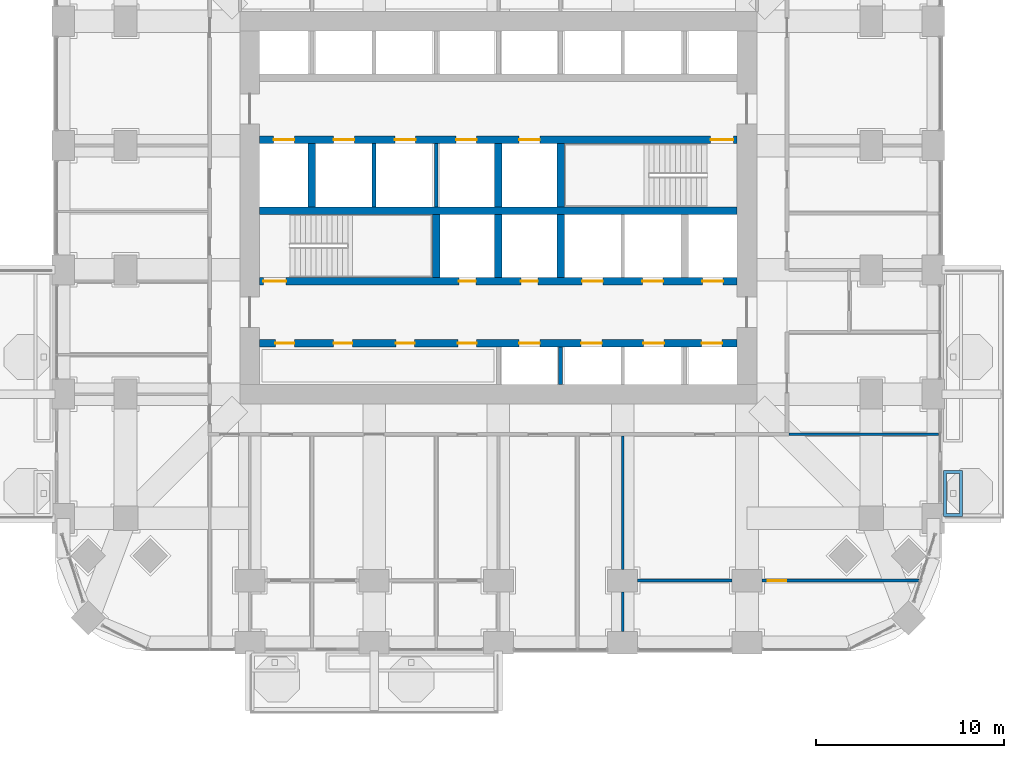
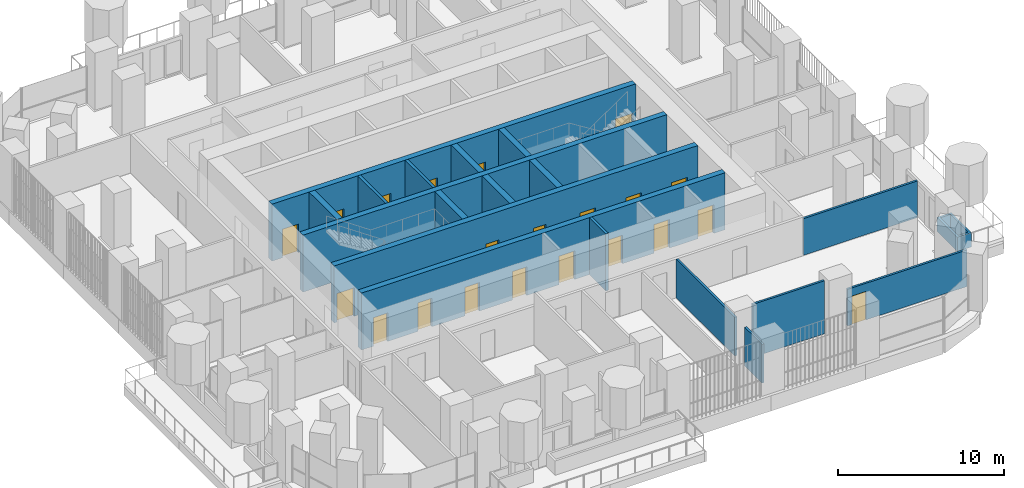
# One storey, part 14 of 21: 21 doors, 19 walls, 21 openings.
"""IFC4 building model written with IfcOpenShell, lengths in metres."""

from ifc_helpers import new_model, si_unit, direction, frame, frame_2d, origin, place, context, subcontext, project, spatial, polyline, rectangle, outline, extrude, material, layer, layer_set, type_object, element, fill, save


model = new_model("IFC4")

# Units and contexts
model_context = context("Model", 3, precision=1e-05, world=origin(), true_north=direction((0.0, 1.0)))
body_context = subcontext(model_context, "Body", "Model", "MODEL_VIEW")
ifc_project = project(units=[si_unit("LENGTHUNIT", "METRE"), si_unit("AREAUNIT", "SQUARE_METRE"), si_unit("VOLUMEUNIT", "CUBIC_METRE"), si_unit("PLANEANGLEUNIT", "RADIAN"), si_unit("MASSUNIT", "GRAM", prefix="KILO")], contexts=[model_context])

# Site, building, storey
site_placement = place(None, origin())
site = spatial("IfcSite", under=ifc_project, at=site_placement, CompositionType="ELEMENT")
building_placement = place(site_placement, origin())
building = spatial("IfcBuilding", under=site, at=building_placement, Name="Cobogo Forest Laboratory Tower", CompositionType="ELEMENT")
storey_placement = place(building_placement, frame((0.0, 0.0, 99.0)))
storey = spatial("IfcBuildingStorey", under=building, at=storey_placement, Name="L22", CompositionType="ELEMENT", Elevation=99.0)

# Wall, openings, doors
ifc_material_1 = material(Name="Concrete HA-50 (C50/60)", Category="concrete")
ifc_layer_1 = layer(ifc_material_1, 0.39990234375)
ifc_layer_set_1 = layer_set([ifc_layer_1], Name="CI400 core inner wall 400")
wall_type_1 = type_object("IfcWallType", Name="CI400 core inner wall 400", PredefinedType="SHEAR", material=ifc_layer_set_1)
wall_1_placement = place(storey_placement, frame((13.72509765625, 15.89990234375, 0.0), z_axis=(0.0, 0.0, 1.0), x_axis=(1.0, 0.0, 0.0)))
wall_1 = element("IfcWall", 1, at=wall_1_placement, inside=storey, type_object=wall_type_1, Name="Core wall CI-15.9 L22", PredefinedType="SHEAR", context=body_context, shape_type="SweptSolid", body=[
    extrude(rectangle(XDim=25.349853515625, YDim=0.39990234375, at=frame_2d((12.6748046875, 0.0))), origin(), (0.0, 0.0, 1.0), 4.199951171875),
])
opening_1_placement = place(wall_1_placement, frame((0.83740234375, 0.0, 0.0)))
opening_1 = element("IfcOpeningElement", 2, at=opening_1_placement, cuts=wall_1, Name="Opening L22-D18", PredefinedType="OPENING", context=body_context, shape_type="SweptSolid", body=[
    extrude(rectangle(XDim=1.0, YDim=2.10009765625, at=frame_2d((0.5, 1.050048828125))), frame((0.0, 0.2099609375, 0.0), z_axis=(0.0, -1.0, 0.0), x_axis=(1.0, 0.0, 0.0)), (0.0, 0.0, 1.0), 0.419921875),
])
opening_2_placement = place(wall_1_placement, frame((3.925048828125, 0.0, 0.0)))
opening_2 = element("IfcOpeningElement", 3, at=opening_2_placement, cuts=wall_1, Name="Opening L22-D19", PredefinedType="OPENING", context=body_context, shape_type="SweptSolid", body=[
    extrude(rectangle(XDim=1.0, YDim=2.10009765625, at=frame_2d((0.5, 1.050048828125))), frame((0.0, 0.2099609375, 0.0), z_axis=(0.0, -1.0, 0.0), x_axis=(1.0, 0.0, 0.0)), (0.0, 0.0, 1.0), 0.419921875),
])
opening_3_placement = place(wall_1_placement, frame((7.22509765625, 0.0, 0.0)))
opening_3 = element("IfcOpeningElement", 4, at=opening_3_placement, cuts=wall_1, Name="Opening L22-D20", PredefinedType="OPENING", context=body_context, shape_type="SweptSolid", body=[
    extrude(rectangle(XDim=1.0, YDim=2.10009765625, at=frame_2d((0.5, 1.050048828125))), frame((0.0, 0.2099609375, 0.0), z_axis=(0.0, -1.0, 0.0), x_axis=(1.0, 0.0, 0.0)), (0.0, 0.0, 1.0), 0.419921875),
])
opening_4_placement = place(wall_1_placement, frame((10.52490234375, 0.0, 0.0)))
opening_4 = element("IfcOpeningElement", 5, at=opening_4_placement, cuts=wall_1, Name="Opening L22-D21", PredefinedType="OPENING", context=body_context, shape_type="SweptSolid", body=[
    extrude(rectangle(XDim=1.0, YDim=2.10009765625, at=frame_2d((0.5, 1.050048828125))), frame((0.0, 0.2099609375, 0.0), z_axis=(0.0, -1.0, 0.0), x_axis=(1.0, 0.0, 0.0)), (0.0, 0.0, 1.0), 0.419921875),
])
opening_5_placement = place(wall_1_placement, frame((13.77490234375, 0.0, 0.0)))
opening_5 = element("IfcOpeningElement", 6, at=opening_5_placement, cuts=wall_1, Name="Opening L22-LD-LB1", PredefinedType="OPENING", context=body_context, shape_type="SweptSolid", body=[
    extrude(rectangle(XDim=1.10009765625, YDim=2.10009765625, at=frame_2d((0.550048828125, 1.050048828125))), frame((0.0, 0.2099609375, 0.0), z_axis=(0.0, -1.0, 0.0), x_axis=(1.0, 0.0, 0.0)), (0.0, 0.0, 1.0), 0.419921875),
])
opening_6_placement = place(wall_1_placement, frame((17.074951171875, 0.0, 0.0)))
opening_6 = element("IfcOpeningElement", 7, at=opening_6_placement, cuts=wall_1, Name="Opening L22-LD-LB2", PredefinedType="OPENING", context=body_context, shape_type="SweptSolid", body=[
    extrude(rectangle(XDim=1.10009765625, YDim=2.10009765625, at=frame_2d((0.550048828125, 1.050048828125))), frame((0.0, 0.2099609375, 0.0), z_axis=(0.0, -1.0, 0.0), x_axis=(1.0, 0.0, 0.0)), (0.0, 0.0, 1.0), 0.419921875),
])
opening_7_placement = place(wall_1_placement, frame((20.375, 0.0, 0.0)))
opening_7 = element("IfcOpeningElement", 8, at=opening_7_placement, cuts=wall_1, Name="Opening L22-LD-LB3", PredefinedType="OPENING", context=body_context, shape_type="SweptSolid", body=[
    extrude(rectangle(XDim=1.10009765625, YDim=2.10009765625, at=frame_2d((0.550048828125, 1.050048828125))), frame((0.0, 0.2099609375, 0.0), z_axis=(0.0, -1.0, 0.0), x_axis=(1.0, 0.0, 0.0)), (0.0, 0.0, 1.0), 0.419921875),
])
opening_8_placement = place(wall_1_placement, frame((23.46240234375, 0.0, 0.0)))
opening_8 = element("IfcOpeningElement", 9, at=opening_8_placement, cuts=wall_1, Name="Opening L22-LD-LB4", PredefinedType="OPENING", context=body_context, shape_type="SweptSolid", body=[
    extrude(rectangle(XDim=1.10009765625, YDim=2.10009765625, at=frame_2d((0.550048828125, 1.050048828125))), frame((0.0, 0.2099609375, 0.0), z_axis=(0.0, -1.0, 0.0), x_axis=(1.0, 0.0, 0.0)), (0.0, 0.0, 1.0), 0.419921875),
])
ifc_material_2 = material(Name="Steel fire door", Category="steel")
door_type_1 = type_object("IfcDoorType", Name="FD1 fire door 1000 EI2 60", OperationType="SINGLE_SWING_LEFT", PredefinedType="DOOR", material=ifc_material_2)
door_1_placement = place(opening_1_placement, origin())
door_1 = element("IfcDoor", 10, at=door_1_placement, inside=storey, type_object=door_type_1, Name="Door L22-SH-LA1", OperationType="SINGLE_SWING_LEFT", OverallHeight=2.10009765625, OverallWidth=1.0, PredefinedType="DOOR", context=body_context, shape_type="SweptSolid", body=[
    extrude(rectangle(XDim=1.0, YDim=2.10009765625, at=frame_2d((0.5, 1.050048828125))), frame((0.0, 0.02490234375, 0.0), z_axis=(0.0, -1.0, 0.0), x_axis=(1.0, 0.0, 0.0)), (0.0, 0.0, 1.0), 0.050048828125),
])
fill(opening_1, door_1)
door_2_placement = place(opening_2_placement, origin())
door_2 = element("IfcDoor", 11, at=door_2_placement, inside=storey, type_object=door_type_1, Name="Door L22-SH-LA2", OperationType="SINGLE_SWING_LEFT", OverallHeight=2.10009765625, OverallWidth=1.0, PredefinedType="DOOR", context=body_context, shape_type="SweptSolid", body=[
    extrude(rectangle(XDim=1.0, YDim=2.10009765625, at=frame_2d((0.5, 1.050048828125))), frame((0.0, 0.02490234375, 0.0), z_axis=(0.0, -1.0, 0.0), x_axis=(1.0, 0.0, 0.0)), (0.0, 0.0, 1.0), 0.050048828125),
])
fill(opening_2, door_2)
door_3_placement = place(opening_3_placement, origin())
door_3 = element("IfcDoor", 12, at=door_3_placement, inside=storey, type_object=door_type_1, Name="Door L22-SH-LA3", OperationType="SINGLE_SWING_LEFT", OverallHeight=2.10009765625, OverallWidth=1.0, PredefinedType="DOOR", context=body_context, shape_type="SweptSolid", body=[
    extrude(rectangle(XDim=1.0, YDim=2.10009765625, at=frame_2d((0.5, 1.050048828125))), frame((0.0, 0.02490234375, 0.0), z_axis=(0.0, -1.0, 0.0), x_axis=(1.0, 0.0, 0.0)), (0.0, 0.0, 1.0), 0.050048828125),
])
fill(opening_3, door_3)
door_4_placement = place(opening_4_placement, origin())
door_4 = element("IfcDoor", 13, at=door_4_placement, inside=storey, type_object=door_type_1, Name="Door L22-SH-LA4", OperationType="SINGLE_SWING_LEFT", OverallHeight=2.10009765625, OverallWidth=1.0, PredefinedType="DOOR", context=body_context, shape_type="SweptSolid", body=[
    extrude(rectangle(XDim=1.0, YDim=2.10009765625, at=frame_2d((0.5, 1.050048828125))), frame((0.0, 0.02490234375, 0.0), z_axis=(0.0, -1.0, 0.0), x_axis=(1.0, 0.0, 0.0)), (0.0, 0.0, 1.0), 0.050048828125),
])
fill(opening_4, door_4)
ifc_material_3 = material(Name="Stainless steel lift door", Category="steel")
door_type_2 = type_object("IfcDoorType", Name="LD lift landing door 1100", OperationType="DOUBLE_DOOR_SLIDING", PredefinedType="DOOR", material=ifc_material_3)
door_5_placement = place(opening_5_placement, origin())
door_5 = element("IfcDoor", 14, at=door_5_placement, inside=storey, type_object=door_type_2, Name="Lift landing door LB1 L22", OperationType="DOUBLE_DOOR_SLIDING", OverallHeight=2.10009765625, OverallWidth=1.10009765625, PredefinedType="DOOR", context=body_context, shape_type="SweptSolid", body=[
    extrude(rectangle(XDim=1.10009765625, YDim=2.10009765625, at=frame_2d((0.550048828125, 1.050048828125))), frame((0.0, 0.02490234375, 0.0), z_axis=(0.0, -1.0, 0.0), x_axis=(1.0, 0.0, 0.0)), (0.0, 0.0, 1.0), 0.050048828125),
])
fill(opening_5, door_5)
door_6_placement = place(opening_6_placement, origin())
door_6 = element("IfcDoor", 15, at=door_6_placement, inside=storey, type_object=door_type_2, Name="Lift landing door LB2 L22", OperationType="DOUBLE_DOOR_SLIDING", OverallHeight=2.10009765625, OverallWidth=1.10009765625, PredefinedType="DOOR", context=body_context, shape_type="SweptSolid", body=[
    extrude(rectangle(XDim=1.10009765625, YDim=2.10009765625, at=frame_2d((0.550048828125, 1.050048828125))), frame((0.0, 0.02490234375, 0.0), z_axis=(0.0, -1.0, 0.0), x_axis=(1.0, 0.0, 0.0)), (0.0, 0.0, 1.0), 0.050048828125),
])
fill(opening_6, door_6)
door_7_placement = place(opening_7_placement, origin())
door_7 = element("IfcDoor", 16, at=door_7_placement, inside=storey, type_object=door_type_2, Name="Lift landing door LB3 L22", OperationType="DOUBLE_DOOR_SLIDING", OverallHeight=2.10009765625, OverallWidth=1.10009765625, PredefinedType="DOOR", context=body_context, shape_type="SweptSolid", body=[
    extrude(rectangle(XDim=1.10009765625, YDim=2.10009765625, at=frame_2d((0.550048828125, 1.050048828125))), frame((0.0, 0.02490234375, 0.0), z_axis=(0.0, -1.0, 0.0), x_axis=(1.0, 0.0, 0.0)), (0.0, 0.0, 1.0), 0.050048828125),
])
fill(opening_7, door_7)
door_8_placement = place(opening_8_placement, origin())
door_8 = element("IfcDoor", 17, at=door_8_placement, inside=storey, type_object=door_type_2, Name="Lift landing door LB4 L22", OperationType="DOUBLE_DOOR_SLIDING", OverallHeight=2.10009765625, OverallWidth=1.10009765625, PredefinedType="DOOR", context=body_context, shape_type="SweptSolid", body=[
    extrude(rectangle(XDim=1.10009765625, YDim=2.10009765625, at=frame_2d((0.550048828125, 1.050048828125))), frame((0.0, 0.02490234375, 0.0), z_axis=(0.0, -1.0, 0.0), x_axis=(1.0, 0.0, 0.0)), (0.0, 0.0, 1.0), 0.050048828125),
])
fill(opening_8, door_8)

wall_2_placement = place(storey_placement, frame((13.72509765625, 19.199951171875, 0.0), z_axis=(0.0, 0.0, 1.0), x_axis=(1.0, 0.0, 0.0)))
wall_2 = element("IfcWall", 18, at=wall_2_placement, inside=storey, type_object=wall_type_1, Name="Core wall CI-19.2 L22", PredefinedType="SHEAR", context=body_context, shape_type="SweptSolid", body=[
    extrude(rectangle(XDim=25.349853515625, YDim=0.39990234375, at=frame_2d((12.6748046875, 0.0))), origin(), (0.0, 0.0, 1.0), 4.199951171875),
])
opening_9_placement = place(wall_2_placement, frame((10.574951171875, 0.0, 0.0)))
opening_9 = element("IfcOpeningElement", 19, at=opening_9_placement, cuts=wall_2, Name="Opening L22-D27", PredefinedType="OPENING", context=body_context, shape_type="SweptSolid", body=[
    extrude(rectangle(XDim=0.89990234375, YDim=2.10009765625, at=frame_2d((0.449951171875, 1.050048828125))), frame((0.0, 0.2099609375, 0.0), z_axis=(0.0, -1.0, 0.0), x_axis=(1.0, 0.0, 0.0)), (0.0, 0.0, 1.0), 0.419921875),
])
opening_10_placement = place(wall_2_placement, frame((13.875, 0.0, 0.0)))
opening_10 = element("IfcOpeningElement", 20, at=opening_10_placement, cuts=wall_2, Name="Opening L22-D28", PredefinedType="OPENING", context=body_context, shape_type="SweptSolid", body=[
    extrude(rectangle(XDim=0.89990234375, YDim=2.10009765625, at=frame_2d((0.449951171875, 1.050048828125))), frame((0.0, 0.2099609375, 0.0), z_axis=(0.0, -1.0, 0.0), x_axis=(1.0, 0.0, 0.0)), (0.0, 0.0, 1.0), 0.419921875),
])
opening_11_placement = place(wall_2_placement, frame((0.199951171875, 0.0, 0.0)))
opening_11 = element("IfcOpeningElement", 21, at=opening_11_placement, cuts=wall_2, Name="Opening L22-D26", PredefinedType="OPENING", context=body_context, shape_type="SweptSolid", body=[
    extrude(rectangle(XDim=1.199951171875, YDim=2.10009765625, at=frame_2d((0.60009765625, 1.050048828125))), frame((0.0, 0.2099609375, 0.0), z_axis=(0.0, -1.0, 0.0), x_axis=(1.0, 0.0, 0.0)), (0.0, 0.0, 1.0), 0.419921875),
])
opening_12_placement = place(wall_2_placement, frame((23.512451171875, 0.0, 0.0)))
opening_12 = element("IfcOpeningElement", 22, at=opening_12_placement, cuts=wall_2, Name="Opening L22-LD-FL2", PredefinedType="OPENING", context=body_context, shape_type="SweptSolid", body=[
    extrude(rectangle(XDim=1.10009765625, YDim=2.10009765625, at=frame_2d((0.550048828125, 1.050048828125))), frame((0.0, 0.2099609375, 0.0), z_axis=(0.0, -1.0, 0.0), x_axis=(1.0, 0.0, 0.0)), (0.0, 0.0, 1.0), 0.419921875),
])
opening_13_placement = place(wall_2_placement, frame((17.125, 0.0, 0.0)))
opening_13 = element("IfcOpeningElement", 23, at=opening_13_placement, cuts=wall_2, Name="Opening L22-LD-LS1", PredefinedType="OPENING", context=body_context, shape_type="SweptSolid", body=[
    extrude(rectangle(XDim=1.10009765625, YDim=2.10009765625, at=frame_2d((0.550048828125, 1.050048828125))), frame((0.0, 0.2099609375, 0.0), z_axis=(0.0, -1.0, 0.0), x_axis=(1.0, 0.0, 0.0)), (0.0, 0.0, 1.0), 0.419921875),
])
opening_14_placement = place(wall_2_placement, frame((20.324951171875, 0.0, 0.0)))
opening_14 = element("IfcOpeningElement", 24, at=opening_14_placement, cuts=wall_2, Name="Opening L22-LD-LS2", PredefinedType="OPENING", context=body_context, shape_type="SweptSolid", body=[
    extrude(rectangle(XDim=1.10009765625, YDim=2.10009765625, at=frame_2d((0.550048828125, 1.050048828125))), frame((0.0, 0.2099609375, 0.0), z_axis=(0.0, -1.0, 0.0), x_axis=(1.0, 0.0, 0.0)), (0.0, 0.0, 1.0), 0.419921875),
])
door_type_3 = type_object("IfcDoorType", Name="DS1 protected stair door 1200 EI2 60", OperationType="SINGLE_SWING_LEFT", PredefinedType="DOOR", material=ifc_material_2)
door_9_placement = place(opening_11_placement, origin())
door_9 = element("IfcDoor", 25, at=door_9_placement, inside=storey, type_object=door_type_3, Name="Door L22-ST1", OperationType="SINGLE_SWING_LEFT", OverallHeight=2.10009765625, OverallWidth=1.199951171875, PredefinedType="DOOR", context=body_context, shape_type="SweptSolid", body=[
    extrude(rectangle(XDim=1.199951171875, YDim=2.10009765625, at=frame_2d((0.60009765625, 1.050048828125))), frame((0.0, 0.02490234375, 0.0), z_axis=(0.0, -1.0, 0.0), x_axis=(1.0, 0.0, 0.0)), (0.0, 0.0, 1.0), 0.050048828125),
])
fill(opening_11, door_9)
door_type_4 = type_object("IfcDoorType", Name="FD4 riser access door 900 EI2 60", OperationType="SINGLE_SWING_LEFT", PredefinedType="DOOR", material=ifc_material_2)
door_10_placement = place(opening_9_placement, origin())
door_10 = element("IfcDoor", 26, at=door_10_placement, inside=storey, type_object=door_type_4, Name="Door L22-R1", OperationType="SINGLE_SWING_LEFT", OverallHeight=2.10009765625, OverallWidth=0.89990234375, PredefinedType="DOOR", context=body_context, shape_type="SweptSolid", body=[
    extrude(rectangle(XDim=0.89990234375, YDim=2.10009765625, at=frame_2d((0.449951171875, 1.050048828125))), frame((0.0, 0.02490234375, 0.0), z_axis=(0.0, -1.0, 0.0), x_axis=(1.0, 0.0, 0.0)), (0.0, 0.0, 1.0), 0.050048828125),
])
fill(opening_9, door_10)
door_11_placement = place(opening_10_placement, origin())
door_11 = element("IfcDoor", 27, at=door_11_placement, inside=storey, type_object=door_type_4, Name="Door L22-R2", OperationType="SINGLE_SWING_RIGHT", OverallHeight=2.10009765625, OverallWidth=0.89990234375, PredefinedType="DOOR", context=body_context, shape_type="SweptSolid", body=[
    extrude(rectangle(XDim=0.89990234375, YDim=2.10009765625, at=frame_2d((0.449951171875, 1.050048828125))), frame((0.0, 0.02490234375, 0.0), z_axis=(0.0, -1.0, 0.0), x_axis=(1.0, 0.0, 0.0)), (0.0, 0.0, 1.0), 0.050048828125),
])
fill(opening_10, door_11)
door_12_placement = place(opening_12_placement, origin())
door_12 = element("IfcDoor", 28, at=door_12_placement, inside=storey, type_object=door_type_2, Name="Lift landing door FL2 L22", OperationType="DOUBLE_DOOR_SLIDING", OverallHeight=2.10009765625, OverallWidth=1.10009765625, PredefinedType="DOOR", context=body_context, shape_type="SweptSolid", body=[
    extrude(rectangle(XDim=1.10009765625, YDim=2.10009765625, at=frame_2d((0.550048828125, 1.050048828125))), frame((0.0, 0.02490234375, 0.0), z_axis=(0.0, -1.0, 0.0), x_axis=(1.0, 0.0, 0.0)), (0.0, 0.0, 1.0), 0.050048828125),
])
fill(opening_12, door_12)
door_13_placement = place(opening_13_placement, origin())
door_13 = element("IfcDoor", 29, at=door_13_placement, inside=storey, type_object=door_type_2, Name="Lift landing door LS1 L22", OperationType="DOUBLE_DOOR_SLIDING", OverallHeight=2.10009765625, OverallWidth=1.10009765625, PredefinedType="DOOR", context=body_context, shape_type="SweptSolid", body=[
    extrude(rectangle(XDim=1.10009765625, YDim=2.10009765625, at=frame_2d((0.550048828125, 1.050048828125))), frame((0.0, 0.02490234375, 0.0), z_axis=(0.0, -1.0, 0.0), x_axis=(1.0, 0.0, 0.0)), (0.0, 0.0, 1.0), 0.050048828125),
])
fill(opening_13, door_13)
door_14_placement = place(opening_14_placement, origin())
door_14 = element("IfcDoor", 30, at=door_14_placement, inside=storey, type_object=door_type_2, Name="Lift landing door LS2 L22", OperationType="DOUBLE_DOOR_SLIDING", OverallHeight=2.10009765625, OverallWidth=1.10009765625, PredefinedType="DOOR", context=body_context, shape_type="SweptSolid", body=[
    extrude(rectangle(XDim=1.10009765625, YDim=2.10009765625, at=frame_2d((0.550048828125, 1.050048828125))), frame((0.0, 0.02490234375, 0.0), z_axis=(0.0, -1.0, 0.0), x_axis=(1.0, 0.0, 0.0)), (0.0, 0.0, 1.0), 0.050048828125),
])
fill(opening_14, door_14)

# Wall
wall_3_placement = place(storey_placement, frame((13.72509765625, 22.949951171875, 0.0), z_axis=(0.0, 0.0, 1.0), x_axis=(1.0, 0.0, 0.0)))
element("IfcWall", 31, at=wall_3_placement, inside=storey, type_object=wall_type_1, Name="Core wall CI-22.95 L22", PredefinedType="SHEAR", context=body_context, shape_type="SweptSolid", body=[
    extrude(rectangle(XDim=25.349853515625, YDim=0.39990234375, at=frame_2d((12.6748046875, 0.0))), origin(), (0.0, 0.0, 1.0), 4.199951171875),
])

# Wall, openings, doors
wall_4_placement = place(storey_placement, frame((13.72509765625, 26.699951171875, 0.0), z_axis=(0.0, 0.0, 1.0), x_axis=(1.0, 0.0, 0.0)))
wall_4 = element("IfcWall", 32, at=wall_4_placement, inside=storey, type_object=wall_type_1, Name="Core wall CI-26.7 L22", PredefinedType="SHEAR", context=body_context, shape_type="SweptSolid", body=[
    extrude(rectangle(XDim=25.349853515625, YDim=0.39990234375, at=frame_2d((12.6748046875, 0.0))), origin(), (0.0, 0.0, 1.0), 4.199951171875),
])
opening_15_placement = place(wall_4_placement, frame((23.949951171875, 0.0, 0.0)))
opening_15 = element("IfcOpeningElement", 33, at=opening_15_placement, cuts=wall_4, Name="Opening L22-D33", PredefinedType="OPENING", context=body_context, shape_type="SweptSolid", body=[
    extrude(rectangle(XDim=1.199951171875, YDim=2.10009765625, at=frame_2d((0.60009765625, 1.050048828125))), frame((0.0, 0.2099609375, 0.0), z_axis=(0.0, -1.0, 0.0), x_axis=(1.0, 0.0, 0.0)), (0.0, 0.0, 1.0), 0.419921875),
])
opening_16_placement = place(wall_4_placement, frame((0.737548828125, 0.0, 0.0)))
opening_16 = element("IfcOpeningElement", 34, at=opening_16_placement, cuts=wall_4, Name="Opening L22-LD-FL1", PredefinedType="OPENING", context=body_context, shape_type="SweptSolid", body=[
    extrude(rectangle(XDim=1.10009765625, YDim=2.10009765625, at=frame_2d((0.550048828125, 1.050048828125))), frame((0.0, 0.2099609375, 0.0), z_axis=(0.0, -1.0, 0.0), x_axis=(1.0, 0.0, 0.0)), (0.0, 0.0, 1.0), 0.419921875),
])
opening_17_placement = place(wall_4_placement, frame((3.925048828125, 0.0, 0.0)))
opening_17 = element("IfcOpeningElement", 35, at=opening_17_placement, cuts=wall_4, Name="Opening L22-LD-LS3", PredefinedType="OPENING", context=body_context, shape_type="SweptSolid", body=[
    extrude(rectangle(XDim=1.10009765625, YDim=2.10009765625, at=frame_2d((0.550048828125, 1.050048828125))), frame((0.0, 0.2099609375, 0.0), z_axis=(0.0, -1.0, 0.0), x_axis=(1.0, 0.0, 0.0)), (0.0, 0.0, 1.0), 0.419921875),
])
opening_18_placement = place(wall_4_placement, frame((7.175048828125, 0.0, 0.0)))
opening_18 = element("IfcOpeningElement", 36, at=opening_18_placement, cuts=wall_4, Name="Opening L22-LD-LS4", PredefinedType="OPENING", context=body_context, shape_type="SweptSolid", body=[
    extrude(rectangle(XDim=1.10009765625, YDim=2.10009765625, at=frame_2d((0.550048828125, 1.050048828125))), frame((0.0, 0.2099609375, 0.0), z_axis=(0.0, -1.0, 0.0), x_axis=(1.0, 0.0, 0.0)), (0.0, 0.0, 1.0), 0.419921875),
])
opening_19_placement = place(wall_4_placement, frame((10.425048828125, 0.0, 0.0)))
opening_19 = element("IfcOpeningElement", 37, at=opening_19_placement, cuts=wall_4, Name="Opening L22-LD-LS5", PredefinedType="OPENING", context=body_context, shape_type="SweptSolid", body=[
    extrude(rectangle(XDim=1.10009765625, YDim=2.10009765625, at=frame_2d((0.550048828125, 1.050048828125))), frame((0.0, 0.2099609375, 0.0), z_axis=(0.0, -1.0, 0.0), x_axis=(1.0, 0.0, 0.0)), (0.0, 0.0, 1.0), 0.419921875),
])
opening_20_placement = place(wall_4_placement, frame((13.77490234375, 0.0, 0.0)))
opening_20 = element("IfcOpeningElement", 38, at=opening_20_placement, cuts=wall_4, Name="Opening L22-LD-LS6", PredefinedType="OPENING", context=body_context, shape_type="SweptSolid", body=[
    extrude(rectangle(XDim=1.10009765625, YDim=2.10009765625, at=frame_2d((0.550048828125, 1.050048828125))), frame((0.0, 0.2099609375, 0.0), z_axis=(0.0, -1.0, 0.0), x_axis=(1.0, 0.0, 0.0)), (0.0, 0.0, 1.0), 0.419921875),
])
door_15_placement = place(opening_15_placement, origin())
door_15 = element("IfcDoor", 39, at=door_15_placement, inside=storey, type_object=door_type_3, Name="Door L22-ST2", OperationType="SINGLE_SWING_RIGHT", OverallHeight=2.10009765625, OverallWidth=1.199951171875, PredefinedType="DOOR", context=body_context, shape_type="SweptSolid", body=[
    extrude(rectangle(XDim=1.199951171875, YDim=2.10009765625, at=frame_2d((0.60009765625, 1.050048828125))), frame((0.0, 0.02490234375, 0.0), z_axis=(0.0, -1.0, 0.0), x_axis=(1.0, 0.0, 0.0)), (0.0, 0.0, 1.0), 0.050048828125),
])
fill(opening_15, door_15)
door_16_placement = place(opening_16_placement, origin())
door_16 = element("IfcDoor", 40, at=door_16_placement, inside=storey, type_object=door_type_2, Name="Lift landing door FL1 L22", OperationType="DOUBLE_DOOR_SLIDING", OverallHeight=2.10009765625, OverallWidth=1.10009765625, PredefinedType="DOOR", context=body_context, shape_type="SweptSolid", body=[
    extrude(rectangle(XDim=1.10009765625, YDim=2.10009765625, at=frame_2d((0.550048828125, 1.050048828125))), frame((0.0, 0.02490234375, 0.0), z_axis=(0.0, -1.0, 0.0), x_axis=(1.0, 0.0, 0.0)), (0.0, 0.0, 1.0), 0.050048828125),
])
fill(opening_16, door_16)
door_17_placement = place(opening_17_placement, origin())
door_17 = element("IfcDoor", 41, at=door_17_placement, inside=storey, type_object=door_type_2, Name="Lift landing door LS3 L22", OperationType="DOUBLE_DOOR_SLIDING", OverallHeight=2.10009765625, OverallWidth=1.10009765625, PredefinedType="DOOR", context=body_context, shape_type="SweptSolid", body=[
    extrude(rectangle(XDim=1.10009765625, YDim=2.10009765625, at=frame_2d((0.550048828125, 1.050048828125))), frame((0.0, 0.02490234375, 0.0), z_axis=(0.0, -1.0, 0.0), x_axis=(1.0, 0.0, 0.0)), (0.0, 0.0, 1.0), 0.050048828125),
])
fill(opening_17, door_17)
door_18_placement = place(opening_18_placement, origin())
door_18 = element("IfcDoor", 42, at=door_18_placement, inside=storey, type_object=door_type_2, Name="Lift landing door LS4 L22", OperationType="DOUBLE_DOOR_SLIDING", OverallHeight=2.10009765625, OverallWidth=1.10009765625, PredefinedType="DOOR", context=body_context, shape_type="SweptSolid", body=[
    extrude(rectangle(XDim=1.10009765625, YDim=2.10009765625, at=frame_2d((0.550048828125, 1.050048828125))), frame((0.0, 0.02490234375, 0.0), z_axis=(0.0, -1.0, 0.0), x_axis=(1.0, 0.0, 0.0)), (0.0, 0.0, 1.0), 0.050048828125),
])
fill(opening_18, door_18)
door_19_placement = place(opening_19_placement, origin())
door_19 = element("IfcDoor", 43, at=door_19_placement, inside=storey, type_object=door_type_2, Name="Lift landing door LS5 L22", OperationType="DOUBLE_DOOR_SLIDING", OverallHeight=2.10009765625, OverallWidth=1.10009765625, PredefinedType="DOOR", context=body_context, shape_type="SweptSolid", body=[
    extrude(rectangle(XDim=1.10009765625, YDim=2.10009765625, at=frame_2d((0.550048828125, 1.050048828125))), frame((0.0, 0.02490234375, 0.0), z_axis=(0.0, -1.0, 0.0), x_axis=(1.0, 0.0, 0.0)), (0.0, 0.0, 1.0), 0.050048828125),
])
fill(opening_19, door_19)
door_20_placement = place(opening_20_placement, origin())
door_20 = element("IfcDoor", 44, at=door_20_placement, inside=storey, type_object=door_type_2, Name="Lift landing door LS6 L22", OperationType="DOUBLE_DOOR_SLIDING", OverallHeight=2.10009765625, OverallWidth=1.10009765625, PredefinedType="DOOR", context=body_context, shape_type="SweptSolid", body=[
    extrude(rectangle(XDim=1.10009765625, YDim=2.10009765625, at=frame_2d((0.550048828125, 1.050048828125))), frame((0.0, 0.02490234375, 0.0), z_axis=(0.0, -1.0, 0.0), x_axis=(1.0, 0.0, 0.0)), (0.0, 0.0, 1.0), 0.050048828125),
])
fill(opening_20, door_20)

# Walls
for number, where, z_axis, x_axis, name in (
    (45, (23.10009765625, 19.39990234375, 0.0), (0.0, 0.0, 1.0), (0.0, 1.0, 0.0), "Core wall CX-23.1 L22"),
    (46, (26.39990234375, 19.39990234375, 0.0), (0.0, 0.0, 1.0), (0.0, 1.0, 0.0), "Core wall CX-26.4S L22"),
    (47, (29.699951171875, 19.39990234375, 0.0), (0.0, 0.0, 1.0), (0.0, 1.0, 0.0), "Core wall CX-29.7S L22"),
    (48, (16.5, 23.14990234375, 0.0), (0.0, 0.0, 1.0), (0.0, 1.0, 0.0), "Core wall CX-16.5 L22"),
    (49, (26.39990234375, 23.14990234375, 0.0), (0.0, 0.0, 1.0), (0.0, 1.0, 0.0), "Core wall CX-26.4N L22"),
    (50, (29.699951171875, 23.14990234375, 0.0), (0.0, 0.0, 1.0), (0.0, 1.0, 0.0), "Core wall CX-29.7N L22"),
):
    element("IfcWall", number, at=place(storey_placement, frame(where, z_axis=z_axis, x_axis=x_axis)), inside=storey, type_object=wall_type_1, Name=name, PredefinedType="SHEAR", context=body_context, shape_type="SweptSolid", body=[
        extrude(rectangle(XDim=3.35009765625, YDim=0.39990234375, at=frame_2d((1.675048828125, 0.0))), origin(), (0.0, 0.0, 1.0), 4.199951171875),
    ])
ifc_material_4 = material(Name="Gypsum board on steel studs", Category="steel")
ifc_layer_2 = layer(ifc_material_4, 0.14990234375)
ifc_layer_set_2 = layer_set([ifc_layer_2], Name="PT1 laboratory partition 150")
wall_type_2 = type_object("IfcWallType", Name="PT1 laboratory partition 150", PredefinedType="PARTITIONING", material=ifc_layer_set_2)
wall_5_placement = place(storey_placement, frame((49.77001953125, 11.074951171875, 0.0), z_axis=(0.0, 0.0, 1.0), x_axis=(-1.0, 0.0, 0.0)))
element("IfcWall", 51, at=wall_5_placement, inside=storey, type_object=wall_type_2, Name="Partition PW-SE L22", PredefinedType="PARTITIONING", context=body_context, shape_type="SweptSolid", body=[
    extrude(rectangle(XDim=7.945068359375, YDim=0.14990234375, at=frame_2d((3.97265625, 0.0))), origin(), (0.0, 0.0, 1.0), 2.699951171875),
])
wall_6_placement = place(storey_placement, frame((33.800048828125, 3.300048828125, 0.0), z_axis=(0.0, 0.0, 1.0), x_axis=(1.0, 0.0, 0.0)))
element("IfcWall", 52, at=wall_6_placement, inside=storey, type_object=wall_type_2, Name="Partition STRIP-S-3 L22", PredefinedType="PARTITIONING", context=body_context, shape_type="SweptSolid", body=[
    extrude(rectangle(XDim=5.0, YDim=0.14990234375, at=frame_2d((2.5, 0.0))), origin(), (0.0, 0.0, 1.0), 3.89990234375),
])

# Wall, opening, door
wall_7_placement = place(storey_placement, frame((40.39990234375, 3.300048828125, 0.0), z_axis=(0.0, 0.0, 1.0), x_axis=(1.0, 0.0, 0.0)))
wall_7 = element("IfcWall", 53, at=wall_7_placement, inside=storey, type_object=wall_type_2, Name="Partition STRIP-S-4 L22", PredefinedType="PARTITIONING", context=body_context, shape_type="SweptSolid", body=[
    extrude(rectangle(XDim=8.323974609375, YDim=0.14990234375, at=frame_2d((4.162109375, 0.0))), origin(), (0.0, 0.0, 1.0), 2.699951171875),
])
opening_21_placement = place(wall_7_placement, frame((0.2919921875, 0.0, 0.0)))
opening_21 = element("IfcOpeningElement", 54, at=opening_21_placement, cuts=wall_7, Name="Opening L22-D05", PredefinedType="OPENING", context=body_context, shape_type="SweptSolid", body=[
    extrude(rectangle(XDim=1.0, YDim=2.10009765625, at=frame_2d((0.5, 1.050048828125))), frame((0.0, 0.0849609375, 0.0), z_axis=(0.0, -1.0, 0.0), x_axis=(1.0, 0.0, 0.0)), (0.0, 0.0, 1.0), 0.169921875),
])
ifc_material_5 = material(Name="Timber fire door", Category="wood")
door_type_5 = type_object("IfcDoorType", Name="FD2 fire door 1000 EI2 30", OperationType="SINGLE_SWING_LEFT", PredefinedType="DOOR", material=ifc_material_5)
door_21_placement = place(opening_21_placement, origin())
door_21 = element("IfcDoor", 55, at=door_21_placement, inside=storey, type_object=door_type_5, Name="Door L22-S5W", OperationType="SINGLE_SWING_LEFT", OverallHeight=2.10009765625, OverallWidth=1.0, PredefinedType="DOOR", context=body_context, shape_type="SweptSolid", body=[
    extrude(rectangle(XDim=1.0, YDim=2.10009765625, at=frame_2d((0.5, 1.050048828125))), frame((0.0, 0.02490234375, 0.0), z_axis=(0.0, -1.0, 0.0), x_axis=(1.0, 0.0, 0.0)), (0.0, 0.0, 1.0), 0.050048828125),
])
fill(opening_21, door_21)

# Walls
wall_8_placement = place(storey_placement, frame((33.0, 0.60009765625, 0.0), z_axis=(0.0, 0.0, 1.0), x_axis=(0.0, 1.0, 0.0)))
element("IfcWall", 56, at=wall_8_placement, inside=storey, type_object=wall_type_2, Name="Partition SVC-S2-1 L22", PredefinedType="PARTITIONING", context=body_context, shape_type="SweptSolid", body=[
    extrude(rectangle(XDim=2.099853515625, YDim=0.14990234375, at=frame_2d((1.0498046875, 0.0))), origin(), (0.0, 0.0, 1.0), 2.85009765625),
])
wall_9_placement = place(storey_placement, frame((33.0, 3.89990234375, 0.0), z_axis=(0.0, 0.0, 1.0), x_axis=(0.0, 1.0, 0.0)))
element("IfcWall", 57, at=wall_9_placement, inside=storey, type_object=wall_type_2, Name="Partition SVC-S2-2 L22", PredefinedType="PARTITIONING", context=body_context, shape_type="SweptSolid", body=[
    extrude(rectangle(XDim=7.0751953125, YDim=0.14990234375, at=frame_2d((3.53759765625, 0.0))), origin(), (0.0, 0.0, 1.0), 2.85009765625),
])
ifc_material_6 = material(Name="Concrete HA-40 (C40/50)", Category="concrete")
ifc_layer_3 = layer(ifc_material_6, 0.14990234375)
ifc_layer_set_3 = layer_set([ifc_layer_3], Name="Planter box 1000x1050")
wall_type_3 = type_object("IfcWallType", Name="Planter box 1000x1050", PredefinedType="USERDEFINED", material=ifc_layer_set_3)
wall_10_placement = place(storey_placement, origin())
element("IfcWall", 58, at=wall_10_placement, inside=storey, type_object=wall_type_3, Name="Planter BAL-E1-1 L22", ObjectType="PLANTER", PredefinedType="USERDEFINED", context=body_context, shape_type="SweptSolid", body=[
    extrude(outline(polyline([(50.050048828125, 6.699951171875), (51.050048828125, 6.699951171875), (51.050048828125, 9.14990234375), (50.050048828125, 9.14990234375), (50.050048828125, 6.699951171875)]), holes=[polyline([(50.199951171875, 6.85009765625), (50.89990234375, 6.85009765625), (50.89990234375, 9.0), (50.199951171875, 9.0), (50.199951171875, 6.85009765625)])]), origin(), (0.0, 0.0, 1.0), 1.050048828125),
])
ifc_material_7 = material(Name="Concrete block", Category="concrete")
ifc_layer_4 = layer(ifc_material_7, 0.199951171875)
ifc_layer_set_4 = layer_set([ifc_layer_4], Name="SW200 lift shaft separator 200")
wall_type_4 = type_object("IfcWallType", Name="SW200 lift shaft separator 200", PredefinedType="PARTITIONING", material=ifc_layer_set_4)
wall_11_placement = place(storey_placement, frame((29.699951171875, 13.72509765625, 0.0), z_axis=(0.0, 0.0, 1.0), x_axis=(0.0, 1.0, 0.0)))
element("IfcWall", 59, at=wall_11_placement, inside=storey, type_object=wall_type_4, Name="Core wall SEP-S5 L22", PredefinedType="PARTITIONING", context=body_context, shape_type="SweptSolid", body=[
    extrude(rectangle(XDim=1.974853515625, YDim=0.199951171875, at=frame_2d((0.9873046875, 0.0))), origin(), (0.0, 0.0, 1.0), 4.199951171875),
])
for number, where, z_axis, x_axis, name in (
    (60, (19.800048828125, 23.14990234375, 0.0), (0.0, 0.0, 1.0), (0.0, 1.0, 0.0), "Core wall SEP-M19.8 L22"),
    (61, (23.10009765625, 23.14990234375, 0.0), (0.0, 0.0, 1.0), (0.0, 1.0, 0.0), "Core wall SEP-M23.1 L22"),
):
    element("IfcWall", number, at=place(storey_placement, frame(where, z_axis=z_axis, x_axis=x_axis)), inside=storey, type_object=wall_type_4, Name=name, PredefinedType="PARTITIONING", context=body_context, shape_type="SweptSolid", body=[
        extrude(rectangle(XDim=3.35009765625, YDim=0.199951171875, at=frame_2d((1.675048828125, 0.0))), origin(), (0.0, 0.0, 1.0), 4.199951171875),
    ])

save(model, "model.ifc")
